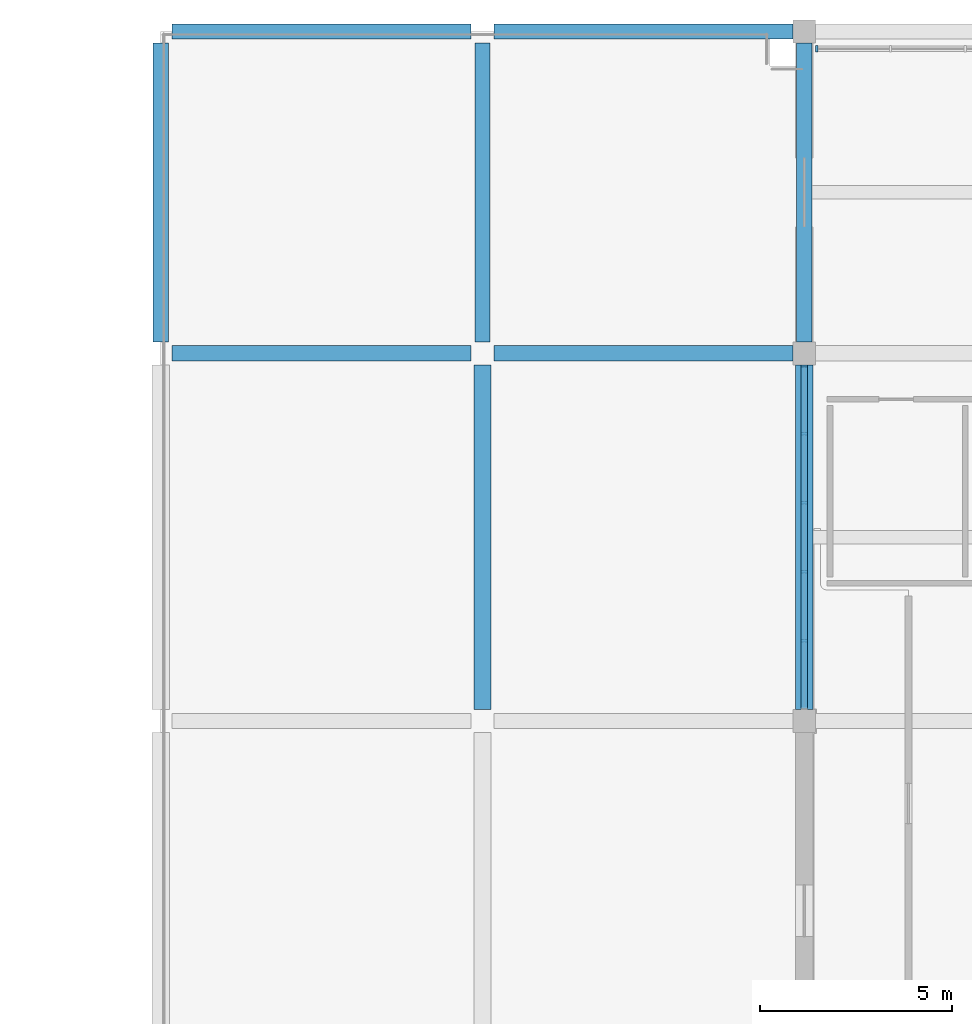
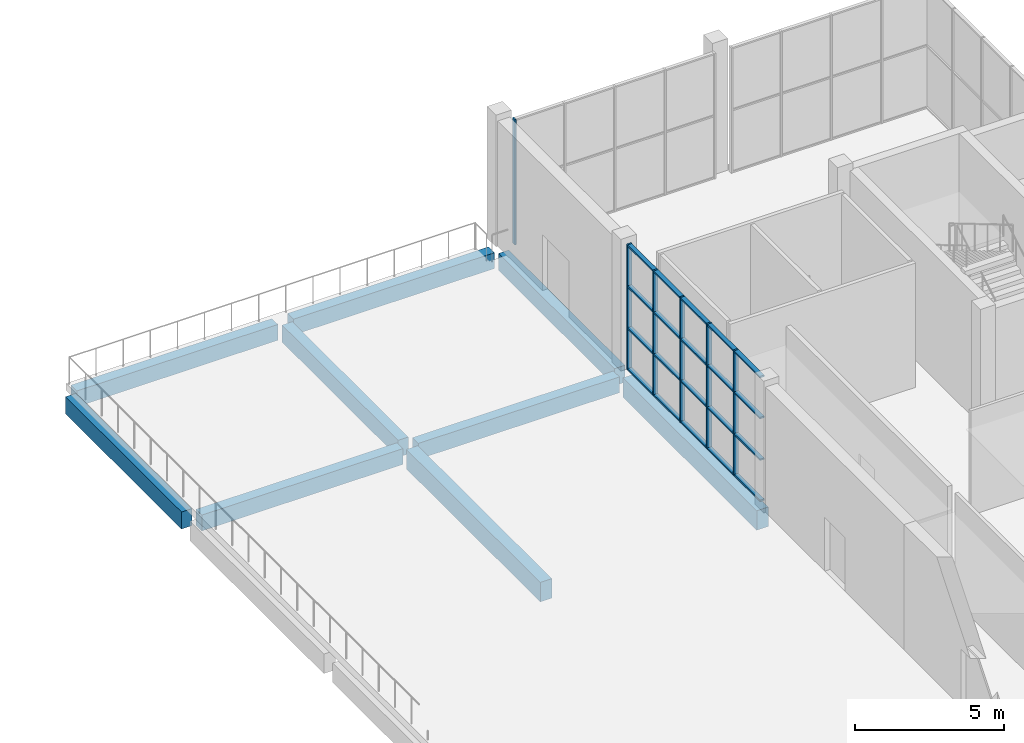
# One storey, part 5 of 15: 10 members, 9 beams, 2 elements without a shape of their own.
"""IFC4 building model written with IfcOpenShell, lengths in metres."""

from ifc_helpers import new_model, si_unit, direction, frame, origin, origin_2d, place, context, subcontext, project, spatial, rectangle, extrude, material, material_profile, profile_set, type_object, element, aggregate, save


model = new_model("IFC4")

# Units and contexts
model_context = context("Model", 3, precision=1e-05, world=origin(), true_north=direction((0.0, 1.0)))
body_context = subcontext(model_context, "Body", "Model", "MODEL_VIEW")
ifc_project = project(units=[si_unit("LENGTHUNIT", "METRE"), si_unit("AREAUNIT", "SQUARE_METRE"), si_unit("VOLUMEUNIT", "CUBIC_METRE"), si_unit("PLANEANGLEUNIT", "RADIAN"), si_unit("MASSUNIT", "GRAM", prefix="KILO")], contexts=[model_context])

# Site, building, storey
site_placement = place(None, origin())
site = spatial("IfcSite", under=ifc_project, at=site_placement, CompositionType="ELEMENT")
building_placement = place(site_placement, origin())
building = spatial("IfcBuilding", under=site, at=building_placement, Name="Shalvenor Court Art Gallery", CompositionType="ELEMENT")
storey_placement = place(building_placement, frame((0.0, 0.0, 27.0)))
storey = spatial("IfcBuildingStorey", under=building, at=storey_placement, Name="L05", CompositionType="ELEMENT", Elevation=27.0)

# Beams
ifc_material_1 = material(Name="Concrete C40/50", Category="concrete")
ifc_material_profile_1 = material_profile(ifc_material_1, rectangle(XDim=0.449951171875, YDim=0.800048828125, at=origin_2d()), Name="RC 450x800")
ifc_profile_set_1 = profile_set([ifc_material_profile_1], Name="Concrete C40/50")
beam_type_1 = type_object("IfcBeamType", Name="B-03", PredefinedType="BEAM", material=ifc_profile_set_1)
for number, where, z_axis, x_axis, name in (
    (1, (151.199951171875, 79.5, -0.699951171875), (0.0, 1.0, 0.0), (-1.0, 0.0, 0.0), "L05 Girder BM-L05-B-03-1283"),
    (2, (159.60009765625, 79.5, -0.699951171875), (0.0, 1.0, 0.0), (-1.0, 0.0, 0.0), "L05 Girder BM-L05-B-03-1286"),
):
    element("IfcBeam", number, at=place(storey_placement, frame(where, z_axis=z_axis, x_axis=x_axis)), inside=storey, type_object=beam_type_1, Name=name, PredefinedType="BEAM", context=body_context, shape_type="SweptSolid", body=[
        extrude(rectangle(XDim=0.449951171875, YDim=0.800048828125, at=origin_2d()), origin(), (0.0, 0.0, 1.0), 9.0),
    ])
ifc_material_2 = material(Name="Concrete C40/50", Category="concrete")
ifc_material_profile_2 = material_profile(ifc_material_2, rectangle(XDim=0.39990234375, YDim=0.699951171875, at=origin_2d()), Name="RC 400x700")
ifc_profile_set_2 = profile_set([ifc_material_profile_2], Name="Concrete C40/50")
beam_type_2 = type_object("IfcBeamType", Name="B-05", PredefinedType="BEAM", material=ifc_profile_set_2)
for number, where, z_axis, x_axis, name in (
    (3, (142.800048828125, 89.10009765625, -0.64990234375), (0.0, 1.0, 0.0), (-1.0, 0.0, 0.0), "L05 Girder BM-L05-B-05-1278"),
    (4, (151.199951171875, 89.10009765625, -0.64990234375), (0.0, 1.0, 0.0), (-1.0, 0.0, 0.0), "L05 Girder BM-L05-B-05-1284"),
    (5, (159.60009765625, 89.10009765625, -0.64990234375), (0.0, 1.0, 0.0), (-1.0, 0.0, 0.0), "L05 Girder BM-L05-B-05-1287"),
):
    element("IfcBeam", number, at=place(storey_placement, frame(where, z_axis=z_axis, x_axis=x_axis)), inside=storey, type_object=beam_type_2, Name=name, PredefinedType="BEAM", context=body_context, shape_type="SweptSolid", body=[
        extrude(rectangle(XDim=0.39990234375, YDim=0.699951171875, at=origin_2d()), origin(), (0.0, 0.0, 1.0), 7.7998046875),
    ])
ifc_material_3 = material(Name="Concrete C40/50", Category="concrete")
ifc_material_profile_3 = material_profile(ifc_material_3, rectangle(XDim=0.39990234375, YDim=0.64990234375, at=origin_2d()), Name="RC 400x650")
ifc_profile_set_3 = profile_set([ifc_material_profile_3], Name="Concrete C40/50")
beam_type_3 = type_object("IfcBeamType", Name="B-06", PredefinedType="BEAM", material=ifc_profile_set_3)
beam_1_placement = place(storey_placement, frame((143.10009765625, 88.800048828125, -0.625), z_axis=(1.0, 0.0, 0.0), x_axis=(0.0, 1.0, 0.0)))
element("IfcBeam", 6, at=beam_1_placement, inside=storey, type_object=beam_type_3, Name="L05 Girder BM-L05-B-06-1319", PredefinedType="BEAM", context=body_context, shape_type="SweptSolid", body=[
    extrude(rectangle(XDim=0.39990234375, YDim=0.64990234375, at=origin_2d()), origin(), (0.0, 0.0, 1.0), 7.7998046875),
])
beam_2_placement = place(storey_placement, frame((151.5, 88.800048828125, -0.625), z_axis=(1.0, 0.0, 0.0), x_axis=(0.0, 1.0, 0.0)))
element("IfcBeam", 7, at=beam_2_placement, inside=storey, type_object=beam_type_3, Name="L05 Girder BM-L05-B-06-1320", PredefinedType="BEAM", context=body_context, shape_type="SweptSolid", body=[
    extrude(rectangle(XDim=0.39990234375, YDim=0.64990234375, at=origin_2d()), origin(), (0.0, 0.0, 1.0), 7.800048828125),
])
beam_3_placement = place(storey_placement, frame((143.10009765625, 97.199951171875, -0.625), z_axis=(1.0, 0.0, 0.0), x_axis=(0.0, 1.0, 0.0)))
element("IfcBeam", 8, at=beam_3_placement, inside=storey, type_object=beam_type_3, Name="L05 Girder BM-L05-B-06-1323", PredefinedType="BEAM", context=body_context, shape_type="SweptSolid", body=[
    extrude(rectangle(XDim=0.39990234375, YDim=0.64990234375, at=origin_2d()), origin(), (0.0, 0.0, 1.0), 7.7998046875),
])
beam_4_placement = place(storey_placement, frame((151.5, 97.199951171875, -0.625), z_axis=(1.0, 0.0, 0.0), x_axis=(0.0, 1.0, 0.0)))
element("IfcBeam", 9, at=beam_4_placement, inside=storey, type_object=beam_type_3, Name="L05 Girder BM-L05-B-06-1324", PredefinedType="BEAM", context=body_context, shape_type="SweptSolid", body=[
    extrude(rectangle(XDim=0.39990234375, YDim=0.64990234375, at=origin_2d()), origin(), (0.0, 0.0, 1.0), 7.800048828125),
])

# Curtain wall, members
ifc_material_4 = material(Name="Anodised aluminium and low-iron glass curtain wall", Category="aluminium")
curtain_wall_type_1 = type_object("IfcCurtainWallType", Name="CW-5x3-90-51-122", PredefinedType="USERDEFINED", material=ifc_material_4)
curtain_wall_1_placement = place(storey_placement, origin())
curtain_wall_1 = element("IfcCurtainWall", 10, at=curtain_wall_1_placement, inside=storey, type_object=curtain_wall_type_1, Name="L05 V1 Curtain Wall CW-L05-052", ObjectType="CURTAIN WALL", PredefinedType="USERDEFINED")
ifc_material_5 = material(Name="Anodised aluminium mullion", Category="aluminium")
ifc_material_profile_4 = material_profile(ifc_material_5, rectangle(XDim=0.06494140625, YDim=0.179931640625, at=origin_2d()), Name="CWM-01")
ifc_profile_set_4 = profile_set([ifc_material_profile_4], Name="Anodised aluminium mullion")
member_type_1 = type_object("IfcMemberType", Name="CWM-01", PredefinedType="MULLION", material=ifc_profile_set_4)
member_1_placement = place(storey_placement, frame((159.60009765625, 81.300048828125, 0.0), z_axis=(0.0, 0.0, 1.0), x_axis=(0.0, 1.0, 0.0)))
member_1 = element("IfcMember", 11, at=member_1_placement, type_object=member_type_1, Name="CW-5x3-90-51-122 mullion 2", PredefinedType="MULLION", context=body_context, shape_type="SweptSolid", body=[
    extrude(rectangle(XDim=0.06494140625, YDim=0.179931640625, at=origin_2d()), origin(), (0.0, 0.0, 1.0), 5.139892578125),
])
member_2_placement = place(storey_placement, frame((159.60009765625, 83.10009765625, 0.0), z_axis=(0.0, 0.0, 1.0), x_axis=(0.0, 1.0, 0.0)))
member_2 = element("IfcMember", 12, at=member_2_placement, type_object=member_type_1, Name="CW-5x3-90-51-122 mullion 3", PredefinedType="MULLION", context=body_context, shape_type="SweptSolid", body=[
    extrude(rectangle(XDim=0.06494140625, YDim=0.179931640625, at=origin_2d()), origin(), (0.0, 0.0, 1.0), 5.139892578125),
])
member_3_placement = place(storey_placement, frame((159.60009765625, 84.89990234375, 0.0), z_axis=(0.0, 0.0, 1.0), x_axis=(0.0, 1.0, 0.0)))
member_3 = element("IfcMember", 13, at=member_3_placement, type_object=member_type_1, Name="CW-5x3-90-51-122 mullion 4", PredefinedType="MULLION", context=body_context, shape_type="SweptSolid", body=[
    extrude(rectangle(XDim=0.06494140625, YDim=0.179931640625, at=origin_2d()), origin(), (0.0, 0.0, 1.0), 5.139892578125),
])
member_4_placement = place(storey_placement, frame((159.60009765625, 86.699951171875, 0.0), z_axis=(0.0, 0.0, 1.0), x_axis=(0.0, 1.0, 0.0)))
member_4 = element("IfcMember", 14, at=member_4_placement, type_object=member_type_1, Name="CW-5x3-90-51-122 mullion 5", PredefinedType="MULLION", context=body_context, shape_type="SweptSolid", body=[
    extrude(rectangle(XDim=0.06494140625, YDim=0.179931640625, at=origin_2d()), origin(), (0.0, 0.0, 1.0), 5.139892578125),
])
member_5_placement = place(storey_placement, frame((159.60009765625, 88.467529296875, 0.0), z_axis=(0.0, 0.0, 1.0), x_axis=(0.0, 1.0, 0.0)))
member_5 = element("IfcMember", 15, at=member_5_placement, type_object=member_type_1, Name="CW-5x3-90-51-122 mullion 6", PredefinedType="MULLION", context=body_context, shape_type="SweptSolid", body=[
    extrude(rectangle(XDim=0.06494140625, YDim=0.179931640625, at=origin_2d()), origin(), (0.0, 0.0, 1.0), 5.139892578125),
])

# Curtain wall, member
ifc_material_6 = material(Name="Anodised aluminium and low-iron glass curtain wall", Category="aluminium")
curtain_wall_type_2 = type_object("IfcCurtainWallType", Name="CW-CLR-4-78", PredefinedType="USERDEFINED", material=ifc_material_6)
curtain_wall_2_placement = place(storey_placement, origin())
curtain_wall_2 = element("IfcCurtainWall", 16, at=curtain_wall_2_placement, inside=storey, type_object=curtain_wall_type_2, Name="L05 Dark Clerestory Curtain Wall CW-L05-040", ObjectType="CURTAIN WALL", PredefinedType="USERDEFINED")
ifc_material_7 = material(Name="Dark anodised bronze aluminium mullion", Category="aluminium")
ifc_material_profile_5 = material_profile(ifc_material_7, rectangle(XDim=0.06005859375, YDim=0.159912109375, at=origin_2d()), Name="CWM-03")
ifc_profile_set_5 = profile_set([ifc_material_profile_5], Name="Dark anodised bronze aluminium mullion")
member_type_2 = type_object("IfcMemberType", Name="CWM-03", PredefinedType="MULLION", material=ifc_profile_set_5)
member_6_placement = place(storey_placement, frame((159.929931640625, 96.75, 0.0), z_axis=(0.0, 0.0, 1.0), x_axis=(1.0, 0.0, 0.0)))
member_6 = element("IfcMember", 17, at=member_6_placement, type_object=member_type_2, Name="CW-CLR-4-78 mullion 1", PredefinedType="MULLION", context=body_context, shape_type="SweptSolid", body=[
    extrude(rectangle(XDim=0.06005859375, YDim=0.159912109375, at=origin_2d()), origin(), (0.0, 0.0, 1.0), 5.139892578125),
])
aggregate(curtain_wall_2, [member_6])

# Member
ifc_material_8 = material(Name="Anodised aluminium transom", Category="aluminium")
ifc_material_profile_6 = material_profile(ifc_material_8, rectangle(XDim=0.169921875, YDim=0.06494140625, at=origin_2d()), Name="CWT-02")
ifc_profile_set_6 = profile_set([ifc_material_profile_6], Name="Anodised aluminium transom")
member_type_3 = type_object("IfcMemberType", Name="CWT-02", PredefinedType="USERDEFINED", material=ifc_profile_set_6)
member_7_placement = place(storey_placement, frame((159.60009765625, 79.532470703125, 0.032470703125), z_axis=(0.0, 1.0, 0.0), x_axis=(-1.0, 0.0, 0.0)))
member_7 = element("IfcMember", 18, at=member_7_placement, type_object=member_type_3, Name="CW-5x3-90-51-122 transom 1", ObjectType="TRANSOM", PredefinedType="USERDEFINED", context=body_context, shape_type="SweptSolid", body=[
    extrude(rectangle(XDim=0.169921875, YDim=0.06494140625, at=origin_2d()), origin(), (0.0, 0.0, 1.0), 8.93505859375),
])

member_8_placement = place(storey_placement, frame((159.60009765625, 79.532470703125, 1.71337890625), z_axis=(0.0, 1.0, 0.0), x_axis=(-1.0, 0.0, 0.0)))
member_8 = element("IfcMember", 19, at=member_8_placement, type_object=member_type_3, Name="CW-5x3-90-51-122 transom 2", ObjectType="TRANSOM", PredefinedType="USERDEFINED", context=body_context, shape_type="SweptSolid", body=[
    extrude(rectangle(XDim=0.169921875, YDim=0.06494140625, at=origin_2d()), origin(), (0.0, 0.0, 1.0), 8.93505859375),
])

member_9_placement = place(storey_placement, frame((159.60009765625, 79.532470703125, 3.4267578125), z_axis=(0.0, 1.0, 0.0), x_axis=(-1.0, 0.0, 0.0)))
member_9 = element("IfcMember", 20, at=member_9_placement, type_object=member_type_3, Name="CW-5x3-90-51-122 transom 3", ObjectType="TRANSOM", PredefinedType="USERDEFINED", context=body_context, shape_type="SweptSolid", body=[
    extrude(rectangle(XDim=0.169921875, YDim=0.06494140625, at=origin_2d()), origin(), (0.0, 0.0, 1.0), 8.93505859375),
])

member_10_placement = place(storey_placement, frame((159.60009765625, 79.532470703125, 5.107421875), z_axis=(0.0, 1.0, 0.0), x_axis=(-1.0, 0.0, 0.0)))
member_10 = element("IfcMember", 21, at=member_10_placement, type_object=member_type_3, Name="CW-5x3-90-51-122 transom 4", ObjectType="TRANSOM", PredefinedType="USERDEFINED", context=body_context, shape_type="SweptSolid", body=[
    extrude(rectangle(XDim=0.169921875, YDim=0.06494140625, at=origin_2d()), origin(), (0.0, 0.0, 1.0), 8.93505859375),
])

aggregate(curtain_wall_1, [member_1, member_2, member_3, member_4, member_5, member_7, member_8, member_9, member_10])

save(model, "model.ifc")
